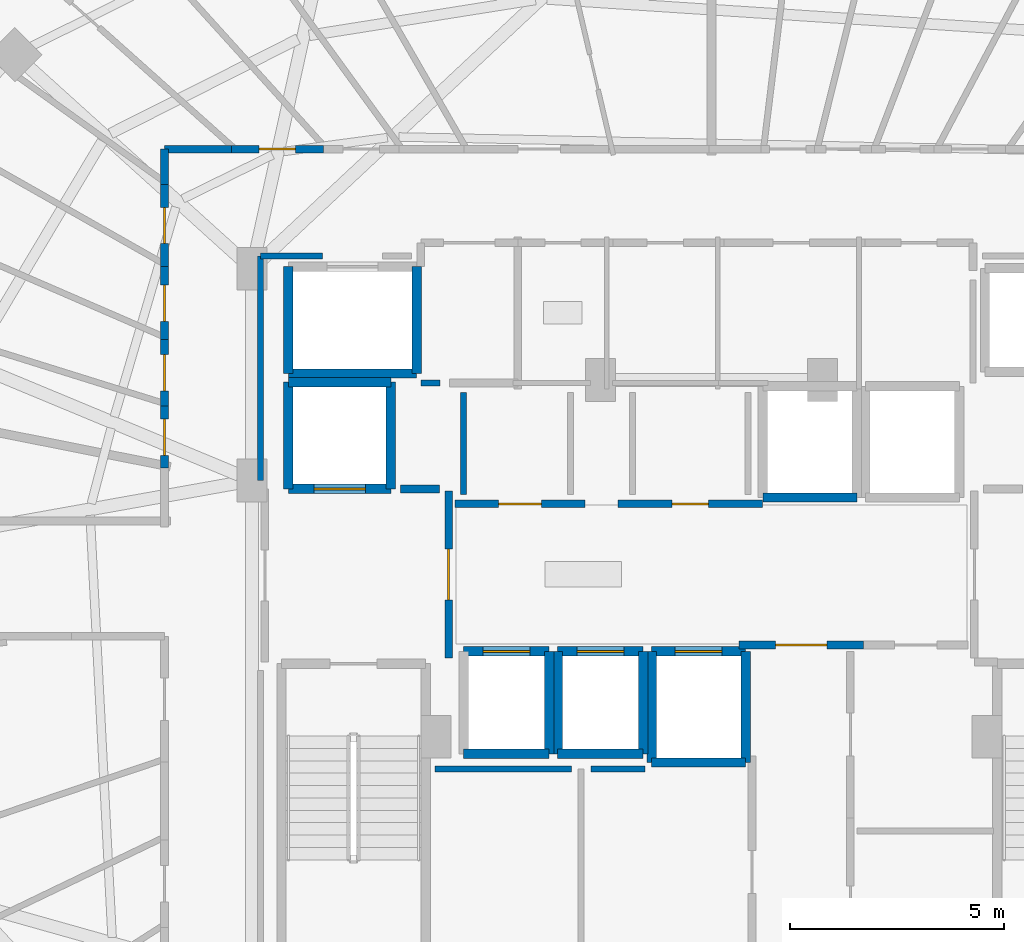
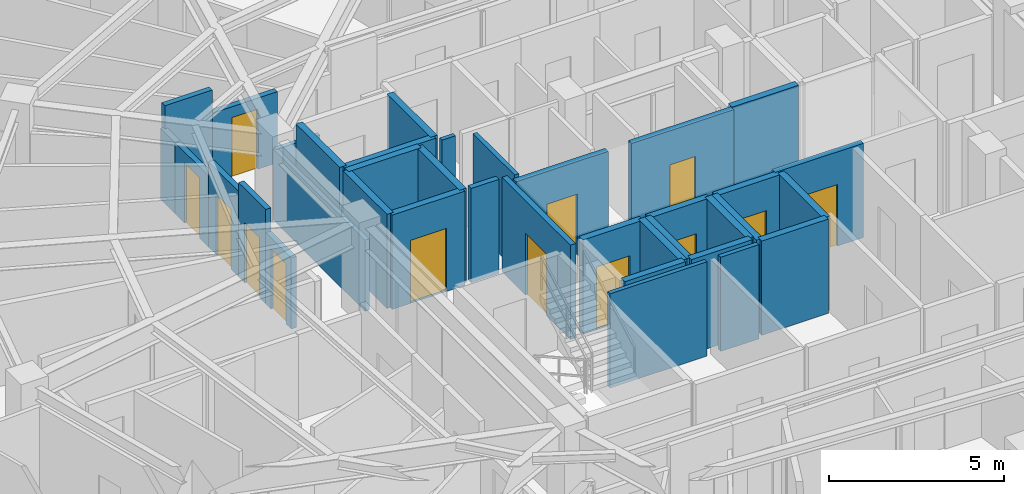
# One storey, part 26 of 34: 37 walls, 13 doors, 13 openings.
"""IFC4 building model written with IfcOpenShell, lengths in metres."""

from ifc_helpers import new_model, si_unit, direction, frame, frame_2d, origin, place, context, subcontext, project, spatial, rectangle, extrude, material, layer, layer_set, type_object, element, fill, save


model = new_model("IFC4")

# Units and contexts
model_context = context("Model", 3, precision=1e-05, world=origin(), true_north=direction((0.0, 1.0)))
body_context = subcontext(model_context, "Body", "Model", "MODEL_VIEW")
ifc_project = project(units=[si_unit("LENGTHUNIT", "METRE"), si_unit("AREAUNIT", "SQUARE_METRE"), si_unit("VOLUMEUNIT", "CUBIC_METRE"), si_unit("PLANEANGLEUNIT", "RADIAN"), si_unit("MASSUNIT", "GRAM", prefix="KILO")], contexts=[model_context])

# Site, building, storey
site_placement = place(None, origin())
site = spatial("IfcSite", under=ifc_project, at=site_placement, CompositionType="ELEMENT")
building_placement = place(site_placement, origin())
building = spatial("IfcBuilding", under=site, at=building_placement, Name="Vorneva Point Tower", CompositionType="ELEMENT")
storey_placement = place(building_placement, frame((0.0, 0.0, 214.300048828125)))
storey = spatial("IfcBuildingStorey", under=building, at=storey_placement, Name="L58", CompositionType="ELEMENT", Elevation=214.300048828125)

# Wall, opening, door
ifc_material_1 = material(Name="Concrete B60 (C50/60)", Category="concrete")
ifc_layer_1 = layer(ifc_material_1, 0.35009765625)
ifc_layer_set_1 = layer_set([ifc_layer_1], Name="Concrete B60 (C50/60)")
wall_type_1 = type_object("IfcWallType", Name="WL-CORE-350", PredefinedType="SHEAR", material=ifc_layer_set_1)
wall_1_placement = place(storey_placement, frame((28.10009765625, 28.0, 0.0), z_axis=(0.0, 0.0, 1.0), x_axis=(1.0, 0.0, 0.0)))
wall_1 = element("IfcWall", 1, at=wall_1_placement, inside=storey, type_object=wall_type_1, Name="L58 Lift FFL1 Shaft Wall -Y", PredefinedType="SHEAR", context=body_context, shape_type="SweptSolid", body=[
    extrude(rectangle(XDim=2.39990234375, YDim=0.219970703125, at=frame_2d((1.199951171875, 0.0))), origin(), (0.0, 0.0, 1.0), 3.2900390625),
])
opening_1_placement = place(wall_1_placement, frame((0.60009765625, 0.0, 0.0)))
opening_1 = element("IfcOpeningElement", 2, at=opening_1_placement, cuts=wall_1, Name="Opening LD-02", PredefinedType="OPENING", context=body_context, shape_type="SweptSolid", body=[
    extrude(rectangle(XDim=1.199951171875, YDim=2.199951171875, at=frame_2d((0.60009765625, 1.10009765625))), frame((0.0, 0.125, 0.0), z_axis=(0.0, -1.0, 0.0), x_axis=(1.0, 0.0, 0.0)), (0.0, 0.0, 1.0), 0.249755859375),
])
ifc_material_2 = material(Name="Brushed stainless steel S304", Category="steel")
door_type_1 = type_object("IfcDoorType", Name="LD-FIRE-1200", OperationType="SLIDING_TO_LEFT", PredefinedType="DOOR", material=ifc_material_2)
door_1_placement = place(opening_1_placement, origin())
door_1 = element("IfcDoor", 3, at=door_1_placement, inside=storey, type_object=door_type_1, Name="L58 Lift FFL1 Sliding Landing Door", OperationType="SLIDING_TO_LEFT", OverallHeight=2.199951171875, OverallWidth=1.199951171875, PredefinedType="DOOR", context=body_context, shape_type="SweptSolid", body=[
    extrude(rectangle(XDim=1.199951171875, YDim=2.199951171875, at=frame_2d((0.60009765625, 1.10009765625))), frame((0.0, 0.02490234375, 0.0), z_axis=(0.0, -1.0, 0.0), x_axis=(1.0, 0.0, 0.0)), (0.0, 0.0, 1.0), 0.050048828125),
])
fill(opening_1, door_1)

# Walls
wall_2_placement = place(storey_placement, frame((30.5, 28.0, 0.0), z_axis=(0.0, 0.0, 1.0), x_axis=(0.0, 1.0, 0.0)))
element("IfcWall", 4, at=wall_2_placement, inside=storey, type_object=wall_type_1, Name="L58 Lift FFL1 Shaft Wall +X", PredefinedType="SHEAR", context=body_context, shape_type="SweptSolid", body=[
    extrude(rectangle(XDim=2.5, YDim=0.219970703125, at=frame_2d((1.25, 0.0))), origin(), (0.0, 0.0, 1.0), 3.2900390625),
])
wall_3_placement = place(storey_placement, frame((30.5, 30.5, 0.0), z_axis=(0.0, 0.0, 1.0), x_axis=(-1.0, 0.0, 0.0)))
element("IfcWall", 5, at=wall_3_placement, inside=storey, type_object=wall_type_1, Name="L58 Lift FFL1 Shaft Wall +Y", PredefinedType="SHEAR", context=body_context, shape_type="SweptSolid", body=[
    extrude(rectangle(XDim=2.39990234375, YDim=0.219970703125, at=frame_2d((1.199951171875, 0.0))), origin(), (0.0, 0.0, 1.0), 3.2900390625),
])
wall_4_placement = place(storey_placement, frame((28.10009765625, 30.5, 0.0), z_axis=(0.0, 0.0, 1.0), x_axis=(0.0, -1.0, 0.0)))
element("IfcWall", 6, at=wall_4_placement, inside=storey, type_object=wall_type_1, Name="L58 Lift FFL1 Shaft Wall -X", PredefinedType="SHEAR", context=body_context, shape_type="SweptSolid", body=[
    extrude(rectangle(XDim=2.5, YDim=0.219970703125, at=frame_2d((1.25, 0.0))), origin(), (0.0, 0.0, 1.0), 3.2900390625),
])
ifc_material_3 = material(Name="Fire-rated acoustic gypsum stud partition", Category="gypsum")
ifc_layer_2 = layer(ifc_material_3, 0.139892578125)
ifc_layer_set_2 = layer_set([ifc_layer_2], Name="Fire-rated acoustic gypsum stud partition")
wall_type_2 = type_object("IfcWallType", Name="WL-PART-140", PredefinedType="PARTITIONING", material=ifc_layer_set_2)
wall_5_placement = place(storey_placement, frame((31.199951171875, 30.47998046875, 0.0), z_axis=(0.0, 0.0, 1.0), x_axis=(1.0, 0.0, 0.0)))
element("IfcWall", 7, at=wall_5_placement, inside=storey, type_object=wall_type_2, Name="L58 Interior Closure Partition 174", PredefinedType="PARTITIONING", context=body_context, shape_type="SweptSolid", body=[
    extrude(rectangle(XDim=0.449951171875, YDim=0.139892578125, at=frame_2d((0.22509765625, 0.0))), origin(), (0.0, 0.0, 1.0), 3.2900390625),
])
wall_6_placement = place(storey_placement, frame((34.72998046875, 21.449951171875, 0.0), z_axis=(0.0, 0.0, 1.0), x_axis=(-1.0, 0.0, 0.0)))
element("IfcWall", 8, at=wall_6_placement, inside=storey, type_object=wall_type_2, Name="L58 Interior Closure Partition 176", PredefinedType="PARTITIONING", context=body_context, shape_type="SweptSolid", body=[
    extrude(rectangle(XDim=3.199951171875, YDim=0.139892578125, at=frame_2d((1.60009765625, 0.0))), origin(), (0.0, 0.0, 1.0), 3.2900390625),
])
wall_7_placement = place(storey_placement, frame((36.43896484375, 21.449951171875, 0.0), z_axis=(0.0, 0.0, 1.0), x_axis=(-1.0, 0.0, 0.0)))
element("IfcWall", 9, at=wall_7_placement, inside=storey, type_object=wall_type_2, Name="L58 Interior Closure Partition 177", PredefinedType="PARTITIONING", context=body_context, shape_type="SweptSolid", body=[
    extrude(rectangle(XDim=1.259033203125, YDim=0.139892578125, at=frame_2d((0.62939453125, 0.0))), origin(), (0.0, 0.0, 1.0), 3.2900390625),
])
wall_8_placement = place(storey_placement, frame((32.199951171875, 30.260009765625, 0.0), z_axis=(0.0, 0.0, 1.0), x_axis=(0.0, -1.0, 0.0)))
element("IfcWall", 10, at=wall_8_placement, inside=storey, type_object=wall_type_2, Name="L58 Interior Closure Partition 178", PredefinedType="PARTITIONING", context=body_context, shape_type="SweptSolid", body=[
    extrude(rectangle(XDim=2.389892578125, YDim=0.139892578125, at=frame_2d((1.19482421875, 0.0))), origin(), (0.0, 0.0, 1.0), 3.2900390625),
])
wall_9_placement = place(storey_placement, frame((28.89404296875, 33.449951171875, 0.0), z_axis=(0.0, 0.0, 1.0), x_axis=(-1.0, 0.0, 0.0)))
element("IfcWall", 11, at=wall_9_placement, inside=storey, type_object=wall_type_2, Name="L58 Interior Closure Partition 185", PredefinedType="PARTITIONING", context=body_context, shape_type="SweptSolid", body=[
    extrude(rectangle(XDim=1.444091796875, YDim=0.139892578125, at=frame_2d((0.72216796875, 0.0))), origin(), (0.0, 0.0, 1.0), 2.48193359375),
])
wall_10_placement = place(storey_placement, frame((27.449951171875, 33.449951171875, 0.0), z_axis=(0.0, 0.0, 1.0), x_axis=(0.0, -1.0, 0.0)))
element("IfcWall", 12, at=wall_10_placement, inside=storey, type_object=wall_type_2, Name="L58 Interior Closure Partition 186", PredefinedType="PARTITIONING", context=body_context, shape_type="SweptSolid", body=[
    extrude(rectangle(XDim=5.25390625, YDim=0.139892578125, at=frame_2d((2.626953125, 0.0))), origin(), (0.0, 0.0, 1.0), 2.48193359375),
])

# Wall, opening, door
ifc_material_4 = material(Name="Autoclaved aerated concrete blockwork", Category="masonry")
ifc_layer_3 = layer(ifc_material_4, 0.179931640625)
ifc_layer_set_3 = layer_set([ifc_layer_3], Name="Autoclaved aerated concrete blockwork")
wall_type_3 = type_object("IfcWallType", Name="WL-PART-180", PredefinedType="PARTITIONING", material=ifc_layer_set_3)
wall_11_placement = place(storey_placement, frame((31.85009765625, 24.044921875, 0.0), z_axis=(0.0, 0.0, 1.0), x_axis=(0.0, 1.0, 0.0)))
wall_11 = element("IfcWall", 13, at=wall_11_placement, inside=storey, type_object=wall_type_3, Name="L58 Interior Partition 001", PredefinedType="PARTITIONING", context=body_context, shape_type="SweptSolid", body=[
    extrude(rectangle(XDim=3.91015625, YDim=0.179931640625, at=frame_2d((1.955078125, 0.0))), origin(), (0.0, 0.0, 1.0), 3.2900390625),
])
opening_2_placement = place(wall_11_placement, frame((1.35498046875, 0.0, 0.0)))
opening_2 = element("IfcOpeningElement", 14, at=opening_2_placement, cuts=wall_11, Name="Opening FD-02", PredefinedType="OPENING", context=body_context, shape_type="SweptSolid", body=[
    extrude(rectangle(XDim=1.199951171875, YDim=2.14990234375, at=frame_2d((0.60009765625, 1.074951171875))), frame((0.0, 0.10498046875, 0.0), z_axis=(0.0, -1.0, 0.0), x_axis=(1.0, 0.0, 0.0)), (0.0, 0.0, 1.0), 0.209716796875),
])
ifc_material_5 = material(Name="Fire-rated powder-coated steel", Category="steel")
door_type_2 = type_object("IfcDoorType", Name="DR-FFL-1200", OperationType="NOTDEFINED", PredefinedType="DOOR", material=ifc_material_5)
door_2_placement = place(opening_2_placement, origin())
door_2 = element("IfcDoor", 15, at=door_2_placement, inside=storey, type_object=door_type_2, Name="L58 Door West Firefighting Lobby / Central Lift Lobby", OperationType="SINGLE_SWING_LEFT", OverallHeight=2.14990234375, OverallWidth=1.199951171875, PredefinedType="DOOR", context=body_context, shape_type="SweptSolid", body=[
    extrude(rectangle(XDim=1.199951171875, YDim=2.14990234375, at=frame_2d((0.60009765625, 1.074951171875))), frame((0.0, 0.02490234375, 0.0), z_axis=(0.0, -1.0, 0.0), x_axis=(1.0, 0.0, 0.0)), (0.0, 0.0, 1.0), 0.050048828125),
])
fill(opening_2, door_2)

wall_12_placement = place(storey_placement, frame((38.64501953125, 24.35009765625, 0.0), z_axis=(0.0, 0.0, 1.0), x_axis=(1.0, 0.0, 0.0)))
wall_12 = element("IfcWall", 16, at=wall_12_placement, inside=storey, type_object=wall_type_3, Name="L58 Interior Partition 010", PredefinedType="PARTITIONING", context=body_context, shape_type="SweptSolid", body=[
    extrude(rectangle(XDim=2.909912109375, YDim=0.179931640625, at=frame_2d((1.455078125, 0.0))), origin(), (0.0, 0.0, 1.0), 3.2900390625),
])
opening_3_placement = place(wall_12_placement, frame((0.85498046875, 0.0, 0.0)))
opening_3 = element("IfcOpeningElement", 17, at=opening_3_placement, cuts=wall_12, Name="Opening FD-02", PredefinedType="OPENING", context=body_context, shape_type="SweptSolid", body=[
    extrude(rectangle(XDim=1.199951171875, YDim=2.14990234375, at=frame_2d((0.60009765625, 1.074951171875))), frame((0.0, 0.10498046875, 0.0), z_axis=(0.0, -1.0, 0.0), x_axis=(1.0, 0.0, 0.0)), (0.0, 0.0, 1.0), 0.209716796875),
])
door_3_placement = place(opening_3_placement, origin())
door_3 = element("IfcDoor", 18, at=door_3_placement, inside=storey, type_object=door_type_2, Name="L58 Door Central Lift Lobby / Core Service Lobby", OperationType="SINGLE_SWING_RIGHT", OverallHeight=2.14990234375, OverallWidth=1.199951171875, PredefinedType="DOOR", context=body_context, shape_type="SweptSolid", body=[
    extrude(rectangle(XDim=1.199951171875, YDim=2.14990234375, at=frame_2d((0.60009765625, 1.074951171875))), frame((0.0, 0.02490234375, 0.0), z_axis=(0.0, -1.0, 0.0), x_axis=(1.0, 0.0, 0.0)), (0.0, 0.0, 1.0), 0.050048828125),
])
fill(opening_3, door_3)

wall_13_placement = place(storey_placement, frame((35.0400390625, 27.64990234375, 0.0), z_axis=(0.0, 0.0, 1.0), x_axis=(-1.0, 0.0, 0.0)))
wall_13 = element("IfcWall", 19, at=wall_13_placement, inside=storey, type_object=wall_type_3, Name="L58 Interior Partition 012", PredefinedType="PARTITIONING", context=body_context, shape_type="SweptSolid", body=[
    extrude(rectangle(XDim=3.0400390625, YDim=0.179931640625, at=frame_2d((1.52001953125, 0.0))), origin(), (0.0, 0.0, 1.0), 3.2900390625),
])
opening_4_placement = place(wall_13_placement, frame((1.02001953125, 0.0, 0.0)))
opening_4 = element("IfcOpeningElement", 20, at=opening_4_placement, cuts=wall_13, Name="Opening UD-01", PredefinedType="OPENING", context=body_context, shape_type="SweptSolid", body=[
    extrude(rectangle(XDim=1.0, YDim=2.14990234375, at=frame_2d((0.5, 1.074951171875))), frame((0.0, 0.10498046875, 0.0), z_axis=(0.0, -1.0, 0.0), x_axis=(1.0, 0.0, 0.0)), (0.0, 0.0, 1.0), 0.209716796875),
])
ifc_material_6 = material(Name="Engineered oak fire-rated door leaf", Category="wood")
door_type_3 = type_object("IfcDoorType", Name="DR-UNIT-1000", OperationType="NOTDEFINED", PredefinedType="DOOR", material=ifc_material_6)
door_4_placement = place(opening_4_placement, origin())
door_4 = element("IfcDoor", 21, at=door_4_placement, inside=storey, type_object=door_type_3, Name="L58 Door Central Lift Lobby / Reclaimed Core Lounge", OperationType="SINGLE_SWING_RIGHT", OverallHeight=2.14990234375, OverallWidth=1.0, PredefinedType="DOOR", context=body_context, shape_type="SweptSolid", body=[
    extrude(rectangle(XDim=1.0, YDim=2.14990234375, at=frame_2d((0.5, 1.074951171875))), frame((0.0, 0.02490234375, 0.0), z_axis=(0.0, -1.0, 0.0), x_axis=(1.0, 0.0, 0.0)), (0.0, 0.0, 1.0), 0.050048828125),
])
fill(opening_4, door_4)

wall_14_placement = place(storey_placement, frame((39.18994140625, 27.64990234375, 0.0), z_axis=(0.0, 0.0, 1.0), x_axis=(-1.0, 0.0, 0.0)))
wall_14 = element("IfcWall", 22, at=wall_14_placement, inside=storey, type_object=wall_type_3, Name="L58 Interior Partition 013", PredefinedType="PARTITIONING", context=body_context, shape_type="SweptSolid", body=[
    extrude(rectangle(XDim=3.3798828125, YDim=0.179931640625, at=frame_2d((1.68994140625, 0.0))), origin(), (0.0, 0.0, 1.0), 3.2900390625),
])
opening_5_placement = place(wall_14_placement, frame((1.264892578125, 0.0, 0.0)))
opening_5 = element("IfcOpeningElement", 23, at=opening_5_placement, cuts=wall_14, Name="Opening ID-02", PredefinedType="OPENING", context=body_context, shape_type="SweptSolid", body=[
    extrude(rectangle(XDim=0.85009765625, YDim=2.10009765625, at=frame_2d((0.425048828125, 1.050048828125))), frame((0.0, 0.10498046875, 0.0), z_axis=(0.0, -1.0, 0.0), x_axis=(1.0, 0.0, 0.0)), (0.0, 0.0, 1.0), 0.209716796875),
])
door_type_4 = type_object("IfcDoorType", Name="DR-BATH-850", OperationType="NOTDEFINED", PredefinedType="DOOR", material=ifc_material_6)
door_5_placement = place(opening_5_placement, origin())
door_5 = element("IfcDoor", 24, at=door_5_placement, inside=storey, type_object=door_type_4, Name="L58 Door Central Lift Lobby / Reclaimed Core Archive Store", OperationType="SINGLE_SWING_LEFT", OverallHeight=2.10009765625, OverallWidth=0.85009765625, PredefinedType="DOOR", context=body_context, shape_type="SweptSolid", body=[
    extrude(rectangle(XDim=0.85009765625, YDim=2.10009765625, at=frame_2d((0.425048828125, 1.050048828125))), frame((0.0, 0.02490234375, 0.0), z_axis=(0.0, -1.0, 0.0), x_axis=(1.0, 0.0, 0.0)), (0.0, 0.0, 1.0), 0.050048828125),
])
fill(opening_5, door_5)

wall_15_placement = place(storey_placement, frame((28.9189453125, 35.949951171875, 0.0), z_axis=(0.0, 0.0, 1.0), x_axis=(-1.0, 0.0, 0.0)))
wall_15 = element("IfcWall", 25, at=wall_15_placement, inside=storey, type_object=wall_type_3, Name="L58 Interior Partition 048", PredefinedType="PARTITIONING", context=body_context, shape_type="SweptSolid", body=[
    extrude(rectangle(XDim=2.15087890625, YDim=0.179931640625, at=frame_2d((1.075439453125, 0.0))), origin(), (0.0, 0.0, 1.0), 2.48193359375),
])
opening_6_placement = place(wall_15_placement, frame((0.650390625, 0.0, 0.0)))
opening_6 = element("IfcOpeningElement", 26, at=opening_6_placement, cuts=wall_15, Name="Opening ID-02", PredefinedType="OPENING", context=body_context, shape_type="SweptSolid", body=[
    extrude(rectangle(XDim=0.85009765625, YDim=2.10009765625, at=frame_2d((0.425048828125, 1.050048828125))), frame((0.0, 0.10498046875, 0.0), z_axis=(0.0, -1.0, 0.0), x_axis=(1.0, 0.0, 0.0)), (0.0, 0.0, 1.0), 0.209716796875),
])
door_6_placement = place(opening_6_placement, origin())
door_6 = element("IfcDoor", 27, at=door_6_placement, inside=storey, type_object=door_type_4, Name="L58 Access Door L58 Circulation Corridor", OperationType="SINGLE_SWING_RIGHT", OverallHeight=2.10009765625, OverallWidth=0.85009765625, PredefinedType="DOOR", context=body_context, shape_type="SweptSolid", body=[
    extrude(rectangle(XDim=0.85009765625, YDim=2.10009765625, at=frame_2d((0.425048828125, 1.050048828125))), frame((0.0, 0.02490234375, 0.0), z_axis=(0.0, -1.0, 0.0), x_axis=(1.0, 0.0, 0.0)), (0.0, 0.0, 1.0), 0.050048828125),
])
fill(opening_6, door_6)

# Walls
wall_16_placement = place(storey_placement, frame((26.76806640625, 35.949951171875, 0.0), z_axis=(0.0, 0.0, 1.0), x_axis=(-1.0, 0.0, 0.0)))
element("IfcWall", 28, at=wall_16_placement, inside=storey, type_object=wall_type_3, Name="L58 Interior Partition 049", PredefinedType="PARTITIONING", context=body_context, shape_type="SweptSolid", body=[
    extrude(rectangle(XDim=1.568115234375, YDim=0.179931640625, at=frame_2d((0.7841796875, 0.0))), origin(), (0.0, 0.0, 1.0), 3.2900390625),
])
wall_17_placement = place(storey_placement, frame((25.199951171875, 35.949951171875, 0.0), z_axis=(0.0, 0.0, 1.0), x_axis=(0.0, -1.0, 0.0)))
element("IfcWall", 29, at=wall_17_placement, inside=storey, type_object=wall_type_3, Name="L58 Interior Partition 050", PredefinedType="PARTITIONING", context=body_context, shape_type="SweptSolid", body=[
    extrude(rectangle(XDim=0.824951171875, YDim=0.179931640625, at=frame_2d((0.41259765625, 0.0))), origin(), (0.0, 0.0, 1.0), 2.48193359375),
])

# Wall, opening, door
wall_18_placement = place(storey_placement, frame((25.199951171875, 35.125, 0.0), z_axis=(0.0, 0.0, 1.0), x_axis=(0.0, -1.0, 0.0)))
wall_18 = element("IfcWall", 30, at=wall_18_placement, inside=storey, type_object=wall_type_3, Name="L58 Interior Partition 051", PredefinedType="PARTITIONING", context=body_context, shape_type="SweptSolid", body=[
    extrude(rectangle(XDim=1.926025390625, YDim=0.179931640625, at=frame_2d((0.962890625, 0.0))), origin(), (0.0, 0.0, 1.0), 2.48193359375),
])
opening_7_placement = place(wall_18_placement, frame((0.5380859375, 0.0, 0.0)))
opening_7 = element("IfcOpeningElement", 31, at=opening_7_placement, cuts=wall_18, Name="Opening ID-02", PredefinedType="OPENING", context=body_context, shape_type="SweptSolid", body=[
    extrude(rectangle(XDim=0.85009765625, YDim=2.10009765625, at=frame_2d((0.425048828125, 1.050048828125))), frame((0.0, 0.10498046875, 0.0), z_axis=(0.0, -1.0, 0.0), x_axis=(1.0, 0.0, 0.0)), (0.0, 0.0, 1.0), 0.209716796875),
])
door_7_placement = place(opening_7_placement, origin())
door_7 = element("IfcDoor", 32, at=door_7_placement, inside=storey, type_object=door_type_4, Name="L58 Access Door L58 Circulation Corridor", OperationType="SINGLE_SWING_LEFT", OverallHeight=2.10009765625, OverallWidth=0.85009765625, PredefinedType="DOOR", context=body_context, shape_type="SweptSolid", body=[
    extrude(rectangle(XDim=0.85009765625, YDim=2.10009765625, at=frame_2d((0.425048828125, 1.050048828125))), frame((0.0, 0.02490234375, 0.0), z_axis=(0.0, -1.0, 0.0), x_axis=(1.0, 0.0, 0.0)), (0.0, 0.0, 1.0), 0.050048828125),
])
fill(opening_7, door_7)

wall_19_placement = place(storey_placement, frame((25.199951171875, 33.198974609375, 0.0), z_axis=(0.0, 0.0, 1.0), x_axis=(0.0, -1.0, 0.0)))
wall_19 = element("IfcWall", 33, at=wall_19_placement, inside=storey, type_object=wall_type_3, Name="L58 Interior Partition 052", PredefinedType="PARTITIONING", context=body_context, shape_type="SweptSolid", body=[
    extrude(rectangle(XDim=1.705078125, YDim=0.179931640625, at=frame_2d((0.8525390625, 0.0))), origin(), (0.0, 0.0, 1.0), 2.97900390625),
])
opening_8_placement = place(wall_19_placement, frame((0.427490234375, 0.0, 0.0)))
opening_8 = element("IfcOpeningElement", 34, at=opening_8_placement, cuts=wall_19, Name="Opening ID-02", PredefinedType="OPENING", context=body_context, shape_type="SweptSolid", body=[
    extrude(rectangle(XDim=0.85009765625, YDim=2.10009765625, at=frame_2d((0.425048828125, 1.050048828125))), frame((0.0, 0.10498046875, 0.0), z_axis=(0.0, -1.0, 0.0), x_axis=(1.0, 0.0, 0.0)), (0.0, 0.0, 1.0), 0.209716796875),
])
door_8_placement = place(opening_8_placement, origin())
door_8 = element("IfcDoor", 35, at=door_8_placement, inside=storey, type_object=door_type_4, Name="L58 Access Door L58 Circulation Corridor", OperationType="SINGLE_SWING_RIGHT", OverallHeight=2.10009765625, OverallWidth=0.85009765625, PredefinedType="DOOR", context=body_context, shape_type="SweptSolid", body=[
    extrude(rectangle(XDim=0.85009765625, YDim=2.10009765625, at=frame_2d((0.425048828125, 1.050048828125))), frame((0.0, 0.02490234375, 0.0), z_axis=(0.0, -1.0, 0.0), x_axis=(1.0, 0.0, 0.0)), (0.0, 0.0, 1.0), 0.050048828125),
])
fill(opening_8, door_8)

wall_20_placement = place(storey_placement, frame((25.199951171875, 31.493896484375, 0.0), z_axis=(0.0, 0.0, 1.0), x_axis=(0.0, -1.0, 0.0)))
wall_20 = element("IfcWall", 36, at=wall_20_placement, inside=storey, type_object=wall_type_3, Name="L58 Interior Partition 053", PredefinedType="PARTITIONING", context=body_context, shape_type="SweptSolid", body=[
    extrude(rectangle(XDim=1.553955078125, YDim=0.179931640625, at=frame_2d((0.77685546875, 0.0))), origin(), (0.0, 0.0, 1.0), 3.2900390625),
])
opening_9_placement = place(wall_20_placement, frame((0.35205078125, 0.0, 0.0)))
opening_9 = element("IfcOpeningElement", 37, at=opening_9_placement, cuts=wall_20, Name="Opening ID-02", PredefinedType="OPENING", context=body_context, shape_type="SweptSolid", body=[
    extrude(rectangle(XDim=0.85009765625, YDim=2.10009765625, at=frame_2d((0.425048828125, 1.050048828125))), frame((0.0, 0.10498046875, 0.0), z_axis=(0.0, -1.0, 0.0), x_axis=(1.0, 0.0, 0.0)), (0.0, 0.0, 1.0), 0.209716796875),
])
door_9_placement = place(opening_9_placement, origin())
door_9 = element("IfcDoor", 38, at=door_9_placement, inside=storey, type_object=door_type_4, Name="L58 Access Door L58 Circulation Corridor", OperationType="SINGLE_SWING_LEFT", OverallHeight=2.10009765625, OverallWidth=0.85009765625, PredefinedType="DOOR", context=body_context, shape_type="SweptSolid", body=[
    extrude(rectangle(XDim=0.85009765625, YDim=2.10009765625, at=frame_2d((0.425048828125, 1.050048828125))), frame((0.0, 0.02490234375, 0.0), z_axis=(0.0, -1.0, 0.0), x_axis=(1.0, 0.0, 0.0)), (0.0, 0.0, 1.0), 0.050048828125),
])
fill(opening_9, door_9)

wall_21_placement = place(storey_placement, frame((25.199951171875, 29.93994140625, 0.0), z_axis=(0.0, 0.0, 1.0), x_axis=(0.0, -1.0, 0.0)))
wall_21 = element("IfcWall", 39, at=wall_21_placement, inside=storey, type_object=wall_type_3, Name="L58 Interior Partition 054", PredefinedType="PARTITIONING", context=body_context, shape_type="SweptSolid", body=[
    extrude(rectangle(XDim=1.453857421875, YDim=0.179931640625, at=frame_2d((0.72705078125, 0.0))), origin(), (0.0, 0.0, 1.0), 2.48193359375),
])
opening_10_placement = place(wall_21_placement, frame((0.302001953125, 0.0, 0.0)))
opening_10 = element("IfcOpeningElement", 40, at=opening_10_placement, cuts=wall_21, Name="Opening ID-02", PredefinedType="OPENING", context=body_context, shape_type="SweptSolid", body=[
    extrude(rectangle(XDim=0.85009765625, YDim=2.10009765625, at=frame_2d((0.425048828125, 1.050048828125))), frame((0.0, 0.10498046875, 0.0), z_axis=(0.0, -1.0, 0.0), x_axis=(1.0, 0.0, 0.0)), (0.0, 0.0, 1.0), 0.209716796875),
])
door_10_placement = place(opening_10_placement, origin())
door_10 = element("IfcDoor", 41, at=door_10_placement, inside=storey, type_object=door_type_4, Name="L58 Access Door L58 Circulation Corridor", OperationType="SINGLE_SWING_RIGHT", OverallHeight=2.10009765625, OverallWidth=0.85009765625, PredefinedType="DOOR", context=body_context, shape_type="SweptSolid", body=[
    extrude(rectangle(XDim=0.85009765625, YDim=2.10009765625, at=frame_2d((0.425048828125, 1.050048828125))), frame((0.0, 0.02490234375, 0.0), z_axis=(0.0, -1.0, 0.0), x_axis=(1.0, 0.0, 0.0)), (0.0, 0.0, 1.0), 0.050048828125),
])
fill(opening_10, door_10)

# Walls
wall_22_placement = place(storey_placement, frame((31.635009765625, 28.0, 0.0), z_axis=(0.0, 0.0, 1.0), x_axis=(-1.0, 0.0, 0.0)))
element("IfcWall", 42, at=wall_22_placement, inside=storey, type_object=wall_type_3, Name="L58 Interior Closure Partition 172", PredefinedType="PARTITIONING", context=body_context, shape_type="SweptSolid", body=[
    extrude(rectangle(XDim=0.9150390625, YDim=0.179931640625, at=frame_2d((0.45751953125, 0.0))), origin(), (0.0, 0.0, 1.0), 3.2900390625),
])
ifc_material_7 = material(Name="Concrete B50 (C40/50)", Category="concrete")
ifc_layer_4 = layer(ifc_material_7, 0.219970703125)
ifc_layer_set_4 = layer_set([ifc_layer_4], Name="Concrete B50 (C40/50)")
wall_type_4 = type_object("IfcWallType", Name="WL-SHFT-220", PredefinedType="SOLIDWALL", material=ifc_layer_set_4)
wall_23_placement = place(storey_placement, frame((32.199951171875, 21.800048828125, 0.0), z_axis=(0.0, 0.0, 1.0), x_axis=(1.0, 0.0, 0.0)))
element("IfcWall", 43, at=wall_23_placement, inside=storey, type_object=wall_type_4, Name="L58 Lift PL4 Shaft Wall -Y", PredefinedType="SOLIDWALL", context=body_context, shape_type="SweptSolid", body=[
    extrude(rectangle(XDim=2.0, YDim=0.219970703125, at=frame_2d((1.0, 0.0))), origin(), (0.0, 0.0, 1.0), 3.2900390625),
])
wall_24_placement = place(storey_placement, frame((34.199951171875, 21.800048828125, 0.0), z_axis=(0.0, 0.0, 1.0), x_axis=(0.0, 1.0, 0.0)))
element("IfcWall", 44, at=wall_24_placement, inside=storey, type_object=wall_type_4, Name="L58 Lift PL4 Shaft Wall +X", PredefinedType="SOLIDWALL", context=body_context, shape_type="SweptSolid", body=[
    extrude(rectangle(XDim=2.39990234375, YDim=0.219970703125, at=frame_2d((1.199951171875, 0.0))), origin(), (0.0, 0.0, 1.0), 3.2900390625),
])

# Wall, opening, door
wall_25_placement = place(storey_placement, frame((34.199951171875, 24.199951171875, 0.0), z_axis=(0.0, 0.0, 1.0), x_axis=(-1.0, 0.0, 0.0)))
wall_25 = element("IfcWall", 45, at=wall_25_placement, inside=storey, type_object=wall_type_4, Name="L58 Lift PL4 Shaft Wall +Y", PredefinedType="SOLIDWALL", context=body_context, shape_type="SweptSolid", body=[
    extrude(rectangle(XDim=2.0, YDim=0.219970703125, at=frame_2d((1.0, 0.0))), origin(), (0.0, 0.0, 1.0), 3.2900390625),
])
opening_11_placement = place(wall_25_placement, frame((0.449951171875, 0.0, 0.0)))
opening_11 = element("IfcOpeningElement", 46, at=opening_11_placement, cuts=wall_25, Name="Opening LD-01", PredefinedType="OPENING", context=body_context, shape_type="SweptSolid", body=[
    extrude(rectangle(XDim=1.10009765625, YDim=2.199951171875, at=frame_2d((0.550048828125, 1.10009765625))), frame((0.0, 0.125, 0.0), z_axis=(0.0, -1.0, 0.0), x_axis=(1.0, 0.0, 0.0)), (0.0, 0.0, 1.0), 0.249755859375),
])
door_type_5 = type_object("IfcDoorType", Name="LD-PASS-1100", OperationType="SLIDING_TO_LEFT", PredefinedType="DOOR", material=ifc_material_2)
door_11_placement = place(opening_11_placement, origin())
door_11 = element("IfcDoor", 47, at=door_11_placement, inside=storey, type_object=door_type_5, Name="L58 Lift PL4 Sliding Landing Door", OperationType="SLIDING_TO_LEFT", OverallHeight=2.199951171875, OverallWidth=1.10009765625, PredefinedType="DOOR", context=body_context, shape_type="SweptSolid", body=[
    extrude(rectangle(XDim=1.10009765625, YDim=2.199951171875, at=frame_2d((0.550048828125, 1.10009765625))), frame((0.0, 0.02490234375, 0.0), z_axis=(0.0, -1.0, 0.0), x_axis=(1.0, 0.0, 0.0)), (0.0, 0.0, 1.0), 0.050048828125),
])
fill(opening_11, door_11)

# Walls
wall_26_placement = place(storey_placement, frame((34.39990234375, 21.800048828125, 0.0), z_axis=(0.0, 0.0, 1.0), x_axis=(1.0, 0.0, 0.0)))
element("IfcWall", 48, at=wall_26_placement, inside=storey, type_object=wall_type_4, Name="L58 Lift PL5 Shaft Wall -Y", PredefinedType="SOLIDWALL", context=body_context, shape_type="SweptSolid", body=[
    extrude(rectangle(XDim=2.0, YDim=0.219970703125, at=frame_2d((1.0, 0.0))), origin(), (0.0, 0.0, 1.0), 3.2900390625),
])
wall_27_placement = place(storey_placement, frame((36.39990234375, 21.800048828125, 0.0), z_axis=(0.0, 0.0, 1.0), x_axis=(0.0, 1.0, 0.0)))
element("IfcWall", 49, at=wall_27_placement, inside=storey, type_object=wall_type_4, Name="L58 Lift PL5 Shaft Wall +X", PredefinedType="SOLIDWALL", context=body_context, shape_type="SweptSolid", body=[
    extrude(rectangle(XDim=2.39990234375, YDim=0.219970703125, at=frame_2d((1.199951171875, 0.0))), origin(), (0.0, 0.0, 1.0), 3.2900390625),
])

# Wall, opening, door
wall_28_placement = place(storey_placement, frame((36.39990234375, 24.199951171875, 0.0), z_axis=(0.0, 0.0, 1.0), x_axis=(-1.0, 0.0, 0.0)))
wall_28 = element("IfcWall", 50, at=wall_28_placement, inside=storey, type_object=wall_type_4, Name="L58 Lift PL5 Shaft Wall +Y", PredefinedType="SOLIDWALL", context=body_context, shape_type="SweptSolid", body=[
    extrude(rectangle(XDim=2.0, YDim=0.219970703125, at=frame_2d((1.0, 0.0))), origin(), (0.0, 0.0, 1.0), 3.2900390625),
])
opening_12_placement = place(wall_28_placement, frame((0.449951171875, 0.0, 0.0)))
opening_12 = element("IfcOpeningElement", 51, at=opening_12_placement, cuts=wall_28, Name="Opening LD-01", PredefinedType="OPENING", context=body_context, shape_type="SweptSolid", body=[
    extrude(rectangle(XDim=1.10009765625, YDim=2.199951171875, at=frame_2d((0.550048828125, 1.10009765625))), frame((0.0, 0.125, 0.0), z_axis=(0.0, -1.0, 0.0), x_axis=(1.0, 0.0, 0.0)), (0.0, 0.0, 1.0), 0.249755859375),
])
door_12_placement = place(opening_12_placement, origin())
door_12 = element("IfcDoor", 52, at=door_12_placement, inside=storey, type_object=door_type_5, Name="L58 Lift PL5 Sliding Landing Door", OperationType="SLIDING_TO_LEFT", OverallHeight=2.199951171875, OverallWidth=1.10009765625, PredefinedType="DOOR", context=body_context, shape_type="SweptSolid", body=[
    extrude(rectangle(XDim=1.10009765625, YDim=2.199951171875, at=frame_2d((0.550048828125, 1.10009765625))), frame((0.0, 0.02490234375, 0.0), z_axis=(0.0, -1.0, 0.0), x_axis=(1.0, 0.0, 0.0)), (0.0, 0.0, 1.0), 0.050048828125),
])
fill(opening_12, door_12)

# Walls
wall_29_placement = place(storey_placement, frame((34.39990234375, 24.199951171875, 0.0), z_axis=(0.0, 0.0, 1.0), x_axis=(0.0, -1.0, 0.0)))
element("IfcWall", 53, at=wall_29_placement, inside=storey, type_object=wall_type_4, Name="L58 Lift PL5 Shaft Wall -X", PredefinedType="SOLIDWALL", context=body_context, shape_type="SweptSolid", body=[
    extrude(rectangle(XDim=2.39990234375, YDim=0.219970703125, at=frame_2d((1.199951171875, 0.0))), origin(), (0.0, 0.0, 1.0), 3.2900390625),
])
wall_30_placement = place(storey_placement, frame((36.60009765625, 21.60009765625, 0.0), z_axis=(0.0, 0.0, 1.0), x_axis=(1.0, 0.0, 0.0)))
element("IfcWall", 54, at=wall_30_placement, inside=storey, type_object=wall_type_4, Name="L58 Lift PL6 Shaft Wall -Y", PredefinedType="SOLIDWALL", context=body_context, shape_type="SweptSolid", body=[
    extrude(rectangle(XDim=2.199951171875, YDim=0.219970703125, at=frame_2d((1.10009765625, 0.0))), origin(), (0.0, 0.0, 1.0), 3.2900390625),
])
wall_31_placement = place(storey_placement, frame((38.800048828125, 21.60009765625, 0.0), z_axis=(0.0, 0.0, 1.0), x_axis=(0.0, 1.0, 0.0)))
element("IfcWall", 55, at=wall_31_placement, inside=storey, type_object=wall_type_4, Name="L58 Lift PL6 Shaft Wall +X", PredefinedType="SOLIDWALL", context=body_context, shape_type="SweptSolid", body=[
    extrude(rectangle(XDim=2.599853515625, YDim=0.219970703125, at=frame_2d((1.2998046875, 0.0))), origin(), (0.0, 0.0, 1.0), 3.2900390625),
])

# Wall, opening, door
wall_32_placement = place(storey_placement, frame((38.800048828125, 24.199951171875, 0.0), z_axis=(0.0, 0.0, 1.0), x_axis=(-1.0, 0.0, 0.0)))
wall_32 = element("IfcWall", 56, at=wall_32_placement, inside=storey, type_object=wall_type_4, Name="L58 Lift PL6 Shaft Wall +Y", PredefinedType="SOLIDWALL", context=body_context, shape_type="SweptSolid", body=[
    extrude(rectangle(XDim=2.199951171875, YDim=0.219970703125, at=frame_2d((1.10009765625, 0.0))), origin(), (0.0, 0.0, 1.0), 3.2900390625),
])
opening_13_placement = place(wall_32_placement, frame((0.550048828125, 0.0, 0.0)))
opening_13 = element("IfcOpeningElement", 57, at=opening_13_placement, cuts=wall_32, Name="Opening LD-01", PredefinedType="OPENING", context=body_context, shape_type="SweptSolid", body=[
    extrude(rectangle(XDim=1.10009765625, YDim=2.199951171875, at=frame_2d((0.550048828125, 1.10009765625))), frame((0.0, 0.125, 0.0), z_axis=(0.0, -1.0, 0.0), x_axis=(1.0, 0.0, 0.0)), (0.0, 0.0, 1.0), 0.249755859375),
])
door_13_placement = place(opening_13_placement, origin())
door_13 = element("IfcDoor", 58, at=door_13_placement, inside=storey, type_object=door_type_5, Name="L58 Lift PL6 Sliding Landing Door", OperationType="SLIDING_TO_LEFT", OverallHeight=2.199951171875, OverallWidth=1.10009765625, PredefinedType="DOOR", context=body_context, shape_type="SweptSolid", body=[
    extrude(rectangle(XDim=1.10009765625, YDim=2.199951171875, at=frame_2d((0.550048828125, 1.10009765625))), frame((0.0, 0.02490234375, 0.0), z_axis=(0.0, -1.0, 0.0), x_axis=(1.0, 0.0, 0.0)), (0.0, 0.0, 1.0), 0.050048828125),
])
fill(opening_13, door_13)

# Walls
wall_33_placement = place(storey_placement, frame((36.60009765625, 24.199951171875, 0.0), z_axis=(0.0, 0.0, 1.0), x_axis=(0.0, -1.0, 0.0)))
element("IfcWall", 59, at=wall_33_placement, inside=storey, type_object=wall_type_4, Name="L58 Lift PL6 Shaft Wall -X", PredefinedType="SOLIDWALL", context=body_context, shape_type="SweptSolid", body=[
    extrude(rectangle(XDim=2.599853515625, YDim=0.219970703125, at=frame_2d((1.2998046875, 0.0))), origin(), (0.0, 0.0, 1.0), 3.2900390625),
])
wall_34_placement = place(storey_placement, frame((39.199951171875, 27.800048828125, 0.0), z_axis=(0.0, 0.0, 1.0), x_axis=(1.0, 0.0, 0.0)))
element("IfcWall", 60, at=wall_34_placement, inside=storey, type_object=wall_type_4, Name="L58 Lift PL7 Shaft Wall -Y", PredefinedType="SOLIDWALL", context=body_context, shape_type="SweptSolid", body=[
    extrude(rectangle(XDim=2.199951171875, YDim=0.219970703125, at=frame_2d((1.10009765625, 0.0))), origin(), (0.0, 0.0, 1.0), 3.2900390625),
])
wall_35_placement = place(storey_placement, frame((28.10009765625, 30.699951171875, 0.0), z_axis=(0.0, 0.0, 1.0), x_axis=(1.0, 0.0, 0.0)))
element("IfcWall", 61, at=wall_35_placement, inside=storey, type_object=wall_type_4, Name="L58 Lift SVL1 Shaft Wall -Y", PredefinedType="SOLIDWALL", context=body_context, shape_type="SweptSolid", body=[
    extrude(rectangle(XDim=3.0, YDim=0.219970703125, at=frame_2d((1.5, 0.0))), origin(), (0.0, 0.0, 1.0), 3.2900390625),
])
for number, where, z_axis, x_axis, name in (
    (62, (31.10009765625, 30.699951171875, 0.0), (0.0, 0.0, 1.0), (0.0, 1.0, 0.0), "L58 Lift SVL1 Shaft Wall +X"),
    (63, (28.10009765625, 33.199951171875, 0.0), (0.0, 0.0, 1.0), (0.0, -1.0, 0.0), "L58 Lift SVL1 Shaft Wall -X"),
):
    element("IfcWall", number, at=place(storey_placement, frame(where, z_axis=z_axis, x_axis=x_axis)), inside=storey, type_object=wall_type_4, Name=name, PredefinedType="SOLIDWALL", context=body_context, shape_type="SweptSolid", body=[
        extrude(rectangle(XDim=2.5, YDim=0.219970703125, at=frame_2d((1.25, 0.0))), origin(), (0.0, 0.0, 1.0), 3.2900390625),
    ])

save(model, "model.ifc")
